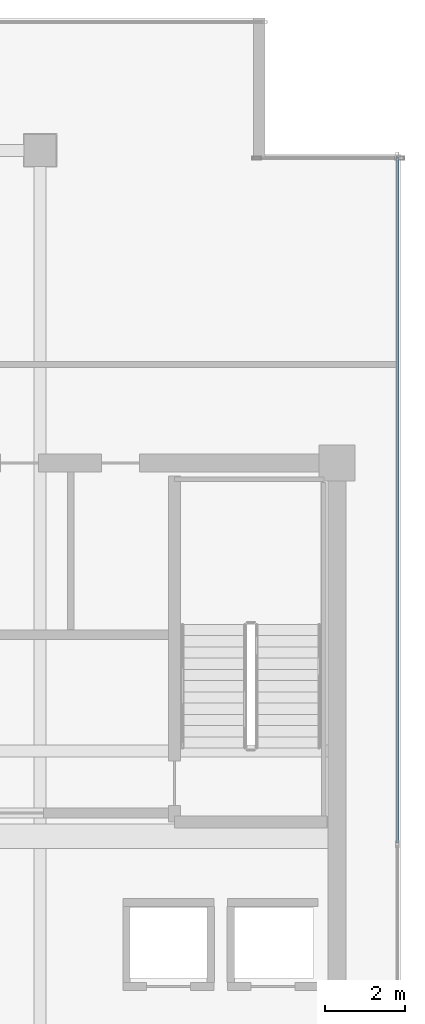
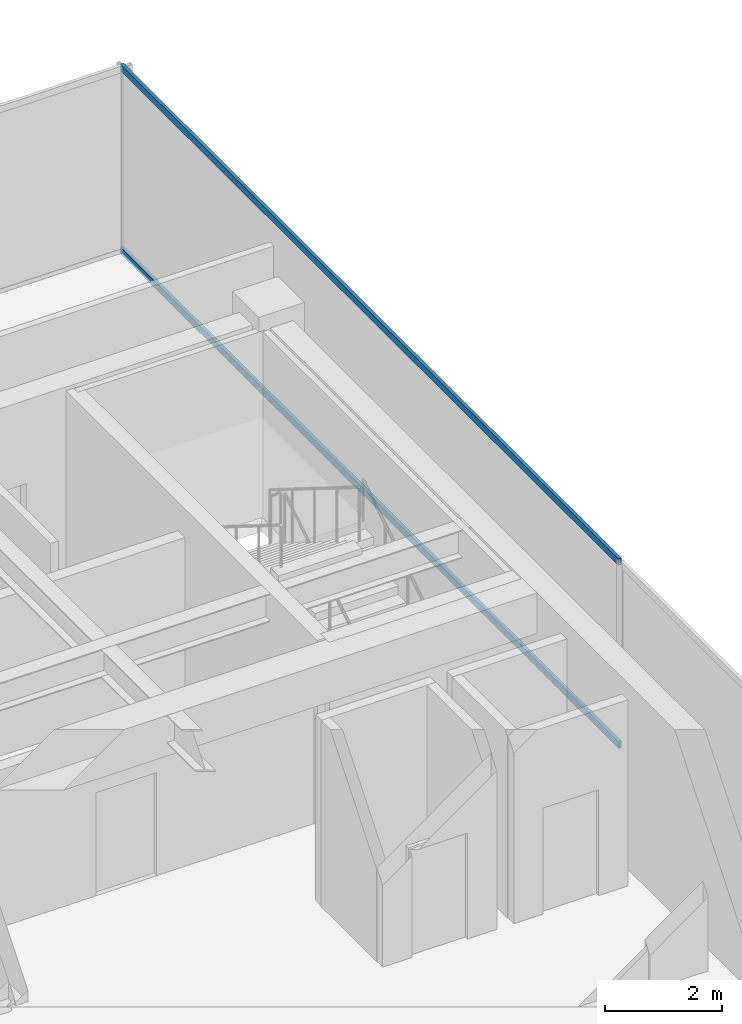
# One storey, part 17 of 32: 2 members, 1 element without a shape of its own.
"""IFC4 building model written with IfcOpenShell, lengths in metres."""

from ifc_helpers import new_model, si_unit, direction, frame, origin, origin_2d, place, context, subcontext, project, spatial, hollow_rectangle, extrude, source, transform, mapped, material, layer, layer_set, material_profile, profile_set, type_object, type_shapes, element, aggregate, save


model = new_model("IFC4")

# Units and contexts
model_context = context("Model", 3, precision=1e-05, world=origin(), true_north=direction((0.0, 1.0)))
body_context = subcontext(model_context, "Body", "Model", "MODEL_VIEW")
ifc_project = project(units=[si_unit("LENGTHUNIT", "METRE"), si_unit("AREAUNIT", "SQUARE_METRE"), si_unit("VOLUMEUNIT", "CUBIC_METRE"), si_unit("PLANEANGLEUNIT", "RADIAN"), si_unit("MASSUNIT", "GRAM", prefix="KILO")], contexts=[model_context])

# Site, building, storey
site_placement = place(None, origin())
site = spatial("IfcSite", under=ifc_project, at=site_placement, CompositionType="ELEMENT")
building_placement = place(site_placement, origin())
building = spatial("IfcBuilding", under=site, at=building_placement, Name="Haelvirn Gate Laboratories", CompositionType="ELEMENT")
storey_placement = place(building_placement, frame((0.0, 0.0, 314.39990234375)))
storey = spatial("IfcBuildingStorey", under=building, at=storey_placement, Name="L75", CompositionType="ELEMENT", Elevation=314.39990234375)

# Curtain wall, members
ifc_material_1 = material(Name="Anodised bronze unitised aluminium & triple low-E glass", Category="aluminium")
ifc_layer = layer(ifc_material_1, 0.176025390625, Name="CW-SYS-4")
ifc_layer_set = layer_set([ifc_layer], Name="Anodised bronze unitised aluminium & triple low-E glass")
curtain_wall_type = type_object("IfcCurtainWallType", Name="CW-SYS-4", PredefinedType="NOTDEFINED", material=ifc_layer_set)
curtain_wall_placement = place(storey_placement, origin())
curtain_wall = element("IfcCurtainWall", 1, at=curtain_wall_placement, inside=storey, type_object=curtain_wall_type, Name="L75 Unitised Curtain Wall CW-L75-P0-E07", PredefinedType="NOTDEFINED")
ifc_material_2 = material(Name="Extruded aluminium 6063-T6 (anodised bronze)", Category="aluminium")
ifc_material_profile = material_profile(ifc_material_2, hollow_rectangle(XDim=0.06494140625, YDim=0.139892578125, WallThickness=0.00390625, at=origin_2d()), Name="CWT-140x65x4")
ifc_profile_set = profile_set([ifc_material_profile], Name="Extruded aluminium 6063-T6 (anodised bronze)")
member_type = type_object("IfcMemberType", Name="CWT-T140", PredefinedType="USERDEFINED", material=ifc_profile_set)
shared_shape = source(origin(), body_context, "Body", "SweptSolid", [
    extrude(hollow_rectangle(XDim=0.06494140625, YDim=0.139892578125, WallThickness=0.00390625, at=origin_2d()), origin(), (0.0, 0.0, 1.0), 17.094970703125),
])
type_shapes(member_type, [shared_shape])
member_1_placement = place(storey_placement, frame((68.89990234375, 24.3349609375, 0.03271484375), z_axis=(0.0, 1.0, 0.0), x_axis=(-1.0, 0.0, 0.0)))
member_1 = element("IfcMember", 2, at=member_1_placement, type_object=member_type, Name="CW4 transom 2.1", ObjectType="TRANSOM", PredefinedType="USERDEFINED", context=body_context, shape_type="MappedRepresentation", body=[
    mapped(shared_shape, transform((0.0, 0.0, 0.0), scale=1.0)),
])
member_2_placement = place(storey_placement, frame((68.89990234375, 24.3349609375, 3.86767578125), z_axis=(0.0, 1.0, 0.0), x_axis=(-1.0, 0.0, 0.0)))
member_2 = element("IfcMember", 3, at=member_2_placement, type_object=member_type, Name="CW4 transom 2.2", ObjectType="TRANSOM", PredefinedType="USERDEFINED", context=body_context, shape_type="MappedRepresentation", body=[
    mapped(shared_shape, transform((0.0, 0.0, 0.0), scale=1.0)),
])
aggregate(curtain_wall, [member_1, member_2])

save(model, "model.ifc")
